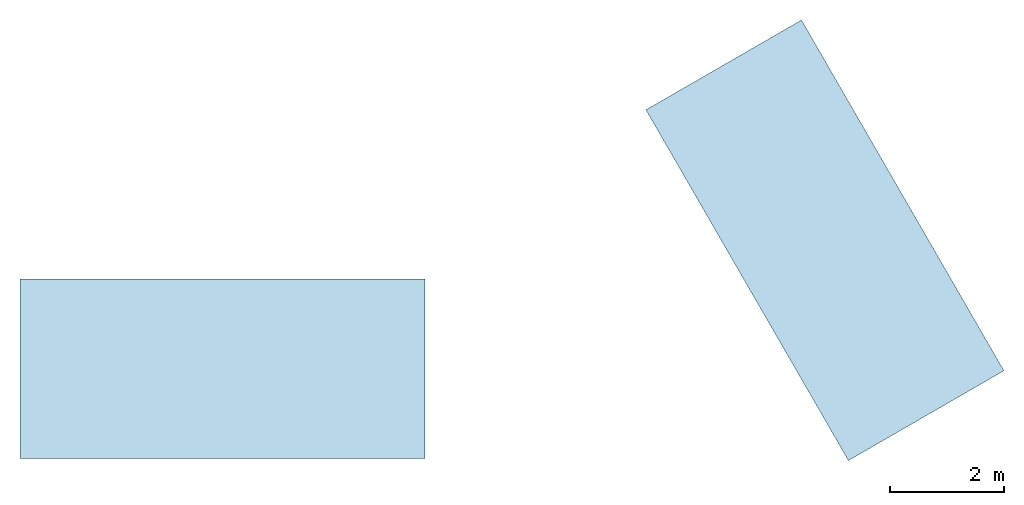
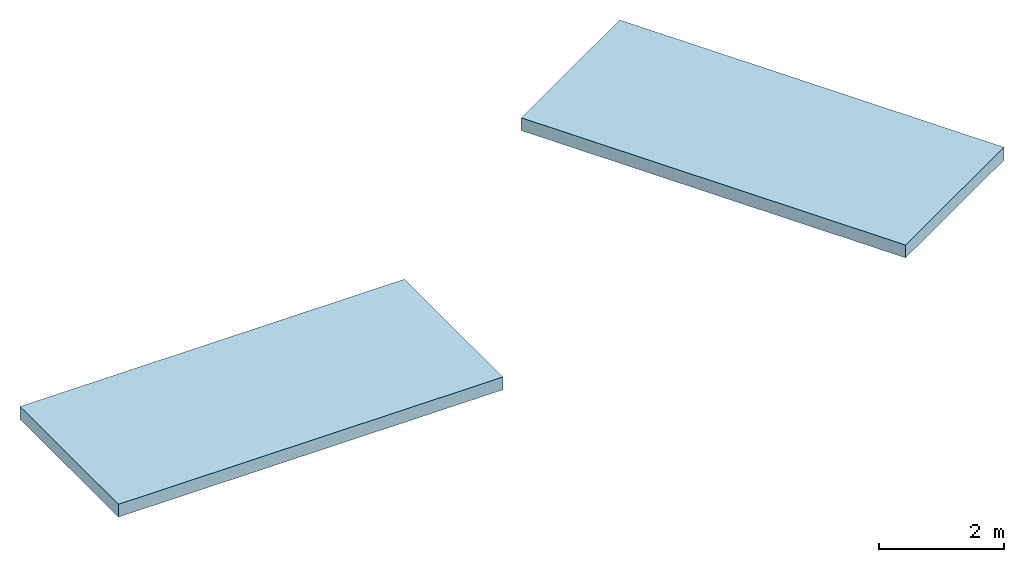
# One storey: 2 slabs.
"""IFC4 building model written with IfcOpenShell, lengths in metres."""

from ifc_helpers import new_model, si_unit, direction, frame, origin, place, context, subcontext, project, spatial, polyline, outline, extrude, material, layer, layer_set, type_object, element, save


model = new_model("IFC4")

# Units and contexts
model_context = context("Model", 3, precision=1e-05, world=origin(), true_north=direction((0.0, 1.0)))
body_context = subcontext(model_context, "Body", "Model", "MODEL_VIEW")
ifc_project = project(units=[si_unit("LENGTHUNIT", "METRE"), si_unit("AREAUNIT", "SQUARE_METRE"), si_unit("VOLUMEUNIT", "CUBIC_METRE"), si_unit("PLANEANGLEUNIT", "RADIAN"), si_unit("MASSUNIT", "GRAM", prefix="KILO")], contexts=[model_context])

# Site, building, storey
site_placement = place(None, origin())
site = spatial("IfcSite", under=ifc_project, at=site_placement, CompositionType="ELEMENT")
building_placement = place(site_placement, origin())
building = spatial("IfcBuilding", under=site, at=building_placement, Name="Tramontana Tower", CompositionType="ELEMENT")
storey_placement = place(building_placement, frame((0.0, 0.0, 395.5)))
storey = spatial("IfcBuildingStorey", under=building, at=storey_placement, Name="ROOF OVER STAIRS", CompositionType="ELEMENT", Elevation=395.5)

# Slabs
ifc_material = material(Name="Precast concrete 50 MPa", Category="concrete")
ifc_layer = layer(ifc_material, 0.25)
ifc_layer_set = layer_set([ifc_layer], Name="HR1 Stair head-house roof 250")
slab_type = type_object("IfcSlabType", Name="HR1 Stair head-house roof 250", PredefinedType="ROOF", material=ifc_layer_set)
slab_1_placement = place(storey_placement, origin())
element("IfcSlab", 1, at=slab_1_placement, inside=storey, type_object=slab_type, Name="Stair head-house roof ST2", PredefinedType="ROOF", context=body_context, shape_type="SweptSolid", body=[
    extrude(outline(polyline([(-8.179931640625, -5.75), (-1.080078125, -5.75), (-1.080078125, -2.60009765625), (-8.179931640625, -2.60009765625), (-8.179931640625, -5.75)])), origin(), (0.0, 0.0, 1.0), 0.25),
])
slab_2_placement = place(storey_placement, origin())
element("IfcSlab", 2, at=slab_2_placement, inside=storey, type_object=slab_type, Name="Stair head-house roof ST3", PredefinedType="ROOF", context=body_context, shape_type="SweptSolid", body=[
    extrude(outline(polyline([(9.069580078125, -4.208984375), (5.51953125, 1.939697265625), (2.791748046875, 0.36474609375), (6.341552734375, -5.7841796875), (9.069580078125, -4.208984375)])), origin(), (0.0, 0.0, 1.0), 0.25),
])

save(model, "model.ifc")
